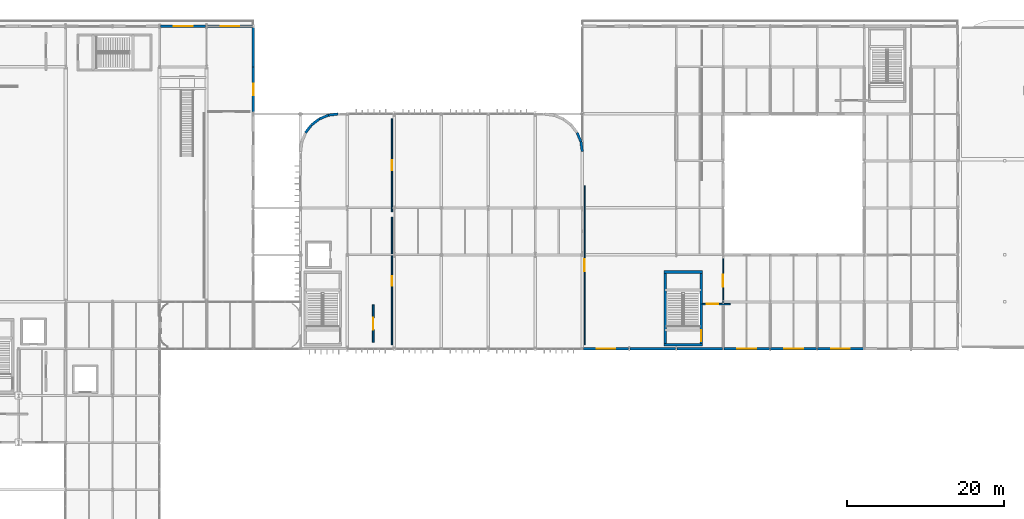
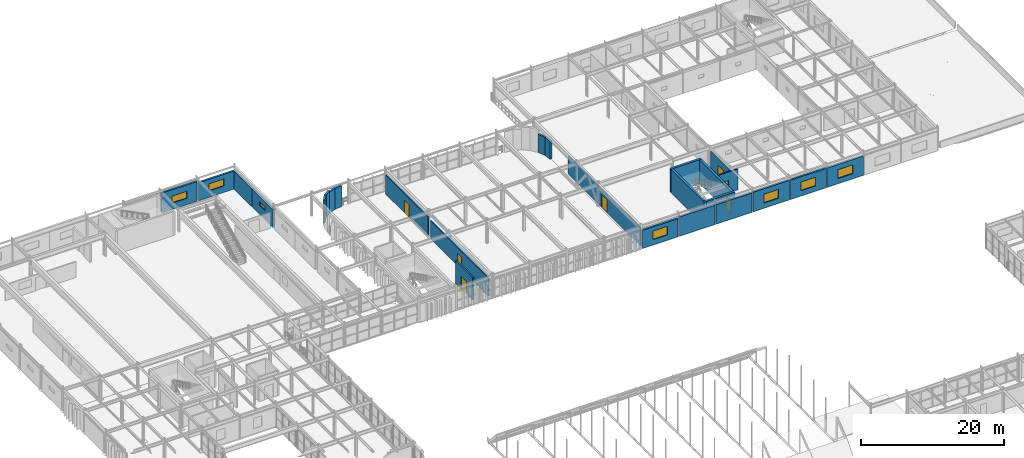
# One storey, part 91 of 116: 26 walls, 7 doors, 7 windows, 14 openings.
"""IFC4 building model written with IfcOpenShell, lengths in metres."""

from ifc_helpers import new_model, si_unit, direction, frame, frame_2d, origin, place, context, subcontext, project, spatial, rectangle, extrude, material, layer, layer_set, type_object, element, fill, save


model = new_model("IFC4")

# Units and contexts
model_context = context("Model", 3, precision=1e-05, world=origin(), true_north=direction((0.0, 1.0)))
body_context = subcontext(model_context, "Body", "Model", "MODEL_VIEW")
ifc_project = project(units=[si_unit("LENGTHUNIT", "METRE"), si_unit("AREAUNIT", "SQUARE_METRE"), si_unit("VOLUMEUNIT", "CUBIC_METRE"), si_unit("PLANEANGLEUNIT", "RADIAN"), si_unit("MASSUNIT", "GRAM", prefix="KILO")], contexts=[model_context])

# Site, building, storey
site_placement = place(None, origin())
site = spatial("IfcSite", under=ifc_project, at=site_placement, CompositionType="ELEMENT")
building_placement = place(site_placement, origin())
building = spatial("IfcBuilding", under=site, at=building_placement, Name="Varnakota Square Police Headquarters", CompositionType="ELEMENT")
storey_placement = place(building_placement, frame((0.0, 0.0, 9.300048828125)))
storey = spatial("IfcBuildingStorey", under=building, at=storey_placement, Name="L02", CompositionType="ELEMENT", Elevation=9.300048828125)

# Wall
ifc_material_1 = material(Name="Concrete M50", Category="concrete")
ifc_layer_1 = layer(ifc_material_1, 0.35009765625, Name="Concrete M50")
ifc_layer_set_1 = layer_set([ifc_layer_1], Name="Concrete M50")
wall_type_1 = type_object("IfcWallType", Name="WL-CORE-350", PredefinedType="SHEAR", material=ifc_layer_set_1)
wall_1_placement = place(storey_placement, frame((106.425048828125, 69.5, 0.0), z_axis=(0.0, 0.0, 1.0), x_axis=(1.0, 0.0, 0.0)))
element("IfcWall", 1, at=wall_1_placement, inside=storey, type_object=wall_type_1, Name="Core C9 shear wall L02 S", PredefinedType="SHEAR", context=body_context, shape_type="SweptSolid", body=[
    extrude(rectangle(XDim=4.949951171875, YDim=0.35009765625, at=frame_2d((2.47509765625, 0.0))), origin(), (0.0, 0.0, 1.0), 4.06005859375),
])

# Wall, opening, door
wall_2_placement = place(storey_placement, frame((111.199951171875, 69.324951171875, 0.0), z_axis=(0.0, 0.0, 1.0), x_axis=(0.0, 1.0, 0.0)))
wall_2 = element("IfcWall", 2, at=wall_2_placement, inside=storey, type_object=wall_type_1, Name="Core C9 shear wall L02 E", PredefinedType="SHEAR", context=body_context, shape_type="SweptSolid", body=[
    extrude(rectangle(XDim=9.650146484375, YDim=0.35009765625, at=frame_2d((4.8251953125, 0.0))), origin(), (0.0, 0.0, 1.0), 4.06005859375),
])
opening_1_placement = place(wall_2_placement, frame((0.655029296875, 0.0, 0.0)))
opening_1 = element("IfcOpeningElement", 3, at=opening_1_placement, cuts=wall_2, Name="Opening SD125", PredefinedType="OPENING", context=body_context, shape_type="SweptSolid", body=[
    extrude(rectangle(XDim=1.39990234375, YDim=2.199951171875, at=frame_2d((0.699951171875, 1.10009765625))), frame((0.0, 0.18505859375, 0.0), z_axis=(0.0, -1.0, 0.0), x_axis=(1.0, 0.0, 0.0)), (0.0, 0.0, 1.0), 0.3701171875),
])
ifc_material_2 = material(Name="Powder-Coated Galvanised Steel", Category="steel")
door_type_1 = type_object("IfcDoorType", Name="DR-ST-140", OperationType="NOTDEFINED", PredefinedType="DOOR", material=ifc_material_2)
door_1_placement = place(opening_1_placement, origin())
door_1 = element("IfcDoor", 4, at=door_1_placement, inside=storey, type_object=door_type_1, Name="Protected stair door SD125", OperationType="DOUBLE_DOOR_SINGLE_SWING", OverallHeight=2.199951171875, OverallWidth=1.39990234375, PredefinedType="DOOR", context=body_context, shape_type="SweptSolid", body=[
    extrude(rectangle(XDim=1.39990234375, YDim=2.199951171875, at=frame_2d((0.699951171875, 1.10009765625))), frame((0.0, 0.02490234375, 0.0), z_axis=(0.0, -1.0, 0.0), x_axis=(1.0, 0.0, 0.0)), (0.0, 0.0, 1.0), 0.050048828125),
])
fill(opening_1, door_1)

# Walls
wall_3_placement = place(storey_placement, frame((111.375, 78.800048828125, 0.0), z_axis=(0.0, 0.0, 1.0), x_axis=(-1.0, 0.0, 0.0)))
element("IfcWall", 5, at=wall_3_placement, inside=storey, type_object=wall_type_1, Name="Core C9 shear wall L02 N", PredefinedType="SHEAR", context=body_context, shape_type="SweptSolid", body=[
    extrude(rectangle(XDim=4.949951171875, YDim=0.35009765625, at=frame_2d((2.47509765625, 0.0))), origin(), (0.0, 0.0, 1.0), 4.06005859375),
])
wall_4_placement = place(storey_placement, frame((106.60009765625, 78.97509765625, 0.0), z_axis=(0.0, 0.0, 1.0), x_axis=(0.0, -1.0, 0.0)))
element("IfcWall", 6, at=wall_4_placement, inside=storey, type_object=wall_type_1, Name="Core C9 shear wall L02 W", PredefinedType="SHEAR", context=body_context, shape_type="SweptSolid", body=[
    extrude(rectangle(XDim=9.650146484375, YDim=0.35009765625, at=frame_2d((4.8251953125, 0.0))), origin(), (0.0, 0.0, 1.0), 4.06005859375),
])

# Wall, opening, window
ifc_material_3 = material(Name="Precast concrete M40", Category="concrete")
ifc_layer_2 = layer(ifc_material_3, 0.300048828125, Name="Precast concrete M40")
ifc_layer_set_2 = layer_set([ifc_layer_2], Name="Precast concrete M40")
wall_type_2 = type_object("IfcWallType", Name="WL-EXT-300", PredefinedType="SOLIDWALL", material=ifc_layer_set_2)
wall_5_placement = place(storey_placement, frame((42.12890625, 110.199951171875, 0.0), z_axis=(0.0, 0.0, 1.0), x_axis=(1.0, 0.0, 0.0)))
wall_5 = element("IfcWall", 7, at=wall_5_placement, inside=storey, type_object=wall_type_2, Name="Exterior wall EW-L02-0613", PredefinedType="SOLIDWALL", context=body_context, shape_type="SweptSolid", body=[
    extrude(rectangle(XDim=5.76220703125, YDim=0.300048828125, at=frame_2d((2.881103515625, 0.0))), origin(), (0.0, 0.0, 1.0), 3.389892578125),
])
opening_2_placement = place(wall_5_placement, frame((1.680908203125, 0.0, 1.10009765625)))
opening_2 = element("IfcOpeningElement", 8, at=opening_2_placement, cuts=wall_5, Name="Opening W06", PredefinedType="OPENING", context=body_context, shape_type="SweptSolid", body=[
    extrude(rectangle(XDim=2.39990234375, YDim=1.199951171875, at=frame_2d((1.199951171875, 0.60009765625))), frame((0.0, 0.159912109375, 0.0), z_axis=(0.0, -1.0, 0.0), x_axis=(1.0, 0.0, 0.0)), (0.0, 0.0, 1.0), 0.320068359375),
])
ifc_material_4 = material(Name="Thermally Broken Aluminium Double-Glazed Window", Category="aluminium")
window_type_1 = type_object("IfcWindowType", Name="WIN-06", PartitioningType="SINGLE_PANEL", PredefinedType="WINDOW", material=ifc_material_4)
window_1_placement = place(opening_2_placement, origin())
window_1 = element("IfcWindow", 9, at=window_1_placement, inside=storey, type_object=window_type_1, Name="Window WN-L02-0138", OverallHeight=1.199951171875, OverallWidth=2.39990234375, PartitioningType="SINGLE_PANEL", PredefinedType="WINDOW", context=body_context, shape_type="SweptSolid", body=[
    extrude(rectangle(XDim=2.39990234375, YDim=1.199951171875, at=frame_2d((1.199951171875, 0.60009765625))), frame((0.0, 0.030029296875, 0.0), z_axis=(0.0, -1.0, 0.0), x_axis=(1.0, 0.0, 0.0)), (0.0, 0.0, 1.0), 0.06005859375),
])
fill(opening_2, window_1)

wall_6_placement = place(storey_placement, frame((48.10888671875, 110.199951171875, 0.0), z_axis=(0.0, 0.0, 1.0), x_axis=(1.0, 0.0, 0.0)))
wall_6 = element("IfcWall", 10, at=wall_6_placement, inside=storey, type_object=wall_type_2, Name="Exterior wall EW-L02-0614", PredefinedType="SOLIDWALL", context=body_context, shape_type="SweptSolid", body=[
    extrude(rectangle(XDim=5.787109375, YDim=0.300048828125, at=frame_2d((2.8935546875, 0.0))), origin(), (0.0, 0.0, 1.0), 3.08984375),
])
opening_3_placement = place(wall_6_placement, frame((1.693603515625, 0.0, 1.10009765625)))
opening_3 = element("IfcOpeningElement", 11, at=opening_3_placement, cuts=wall_6, Name="Opening W06", PredefinedType="OPENING", context=body_context, shape_type="SweptSolid", body=[
    extrude(rectangle(XDim=2.39990234375, YDim=1.199951171875, at=frame_2d((1.199951171875, 0.60009765625))), frame((0.0, 0.159912109375, 0.0), z_axis=(0.0, -1.0, 0.0), x_axis=(1.0, 0.0, 0.0)), (0.0, 0.0, 1.0), 0.320068359375),
])
window_2_placement = place(opening_3_placement, origin())
window_2 = element("IfcWindow", 12, at=window_2_placement, inside=storey, type_object=window_type_1, Name="Window WN-L02-0139", OverallHeight=1.199951171875, OverallWidth=2.39990234375, PartitioningType="SINGLE_PANEL", PredefinedType="WINDOW", context=body_context, shape_type="SweptSolid", body=[
    extrude(rectangle(XDim=2.39990234375, YDim=1.199951171875, at=frame_2d((1.199951171875, 0.60009765625))), frame((0.0, 0.030029296875, 0.0), z_axis=(0.0, -1.0, 0.0), x_axis=(1.0, 0.0, 0.0)), (0.0, 0.0, 1.0), 0.06005859375),
])
fill(opening_3, window_2)

wall_7_placement = place(storey_placement, frame((96.154052734375, 69.0, 0.0), z_axis=(0.0, 0.0, 1.0), x_axis=(1.0, 0.0, 0.0)))
wall_7 = element("IfcWall", 13, at=wall_7_placement, inside=storey, type_object=wall_type_2, Name="Exterior wall EW-L02-0733", PredefinedType="SOLIDWALL", context=body_context, shape_type="SweptSolid", body=[
    extrude(rectangle(XDim=5.766845703125, YDim=0.300048828125, at=frame_2d((2.88330078125, 0.0))), origin(), (0.0, 0.0, 1.0), 3.08984375),
])
opening_4_placement = place(wall_7_placement, frame((1.68359375, 0.0, 0.89990234375)))
opening_4 = element("IfcOpeningElement", 14, at=opening_4_placement, cuts=wall_7, Name="Opening W02", PredefinedType="OPENING", context=body_context, shape_type="SweptSolid", body=[
    extrude(rectangle(XDim=2.39990234375, YDim=1.5, at=frame_2d((1.199951171875, 0.75))), frame((0.0, 0.159912109375, 0.0), z_axis=(0.0, -1.0, 0.0), x_axis=(1.0, 0.0, 0.0)), (0.0, 0.0, 1.0), 0.320068359375),
])
window_type_2 = type_object("IfcWindowType", Name="WIN-02", PartitioningType="SINGLE_PANEL", PredefinedType="WINDOW", material=ifc_material_4)
window_3_placement = place(opening_4_placement, origin())
window_3 = element("IfcWindow", 15, at=window_3_placement, inside=storey, type_object=window_type_2, Name="Window WN-L02-0235", OverallHeight=1.5, OverallWidth=2.39990234375, PartitioningType="SINGLE_PANEL", PredefinedType="WINDOW", context=body_context, shape_type="SweptSolid", body=[
    extrude(rectangle(XDim=2.39990234375, YDim=1.5, at=frame_2d((1.199951171875, 0.75))), frame((0.0, 0.030029296875, 0.0), z_axis=(0.0, -1.0, 0.0), x_axis=(1.0, 0.0, 0.0)), (0.0, 0.0, 1.0), 0.06005859375),
])
fill(opening_4, window_3)

# Walls
for number, where, z_axis, x_axis, name in (
    (16, (102.0791015625, 69.0, 0.0), (0.0, 0.0, 1.0), (1.0, 0.0, 0.0), "Exterior wall EW-L02-0734"),
    (17, (108.073974609375, 69.0, 0.0), (0.0, 0.0, 1.0), (1.0, 0.0, 0.0), "Exterior wall EW-L02-0735"),
):
    element("IfcWall", number, at=place(storey_placement, frame(where, z_axis=z_axis, x_axis=x_axis)), inside=storey, type_object=wall_type_2, Name=name, PredefinedType="SOLIDWALL", context=body_context, shape_type="SweptSolid", body=[
        extrude(rectangle(XDim=5.846923828125, YDim=0.300048828125, at=frame_2d((2.92333984375, 0.0))), origin(), (0.0, 0.0, 1.0), 3.2900390625),
    ])

# Wall, opening, window
wall_8_placement = place(storey_placement, frame((114.0791015625, 69.0, 0.0), z_axis=(0.0, 0.0, 1.0), x_axis=(1.0, 0.0, 0.0)))
wall_8 = element("IfcWall", 18, at=wall_8_placement, inside=storey, type_object=wall_type_2, Name="Exterior wall EW-L02-0736", PredefinedType="SOLIDWALL", context=body_context, shape_type="SweptSolid", body=[
    extrude(rectangle(XDim=5.841796875, YDim=0.300048828125, at=frame_2d((2.9208984375, 0.0))), origin(), (0.0, 0.0, 1.0), 3.33984375),
])
opening_5_placement = place(wall_8_placement, frame((1.720947265625, 0.0, 0.89990234375)))
opening_5 = element("IfcOpeningElement", 19, at=opening_5_placement, cuts=wall_8, Name="Opening W02", PredefinedType="OPENING", context=body_context, shape_type="SweptSolid", body=[
    extrude(rectangle(XDim=2.39990234375, YDim=1.5, at=frame_2d((1.199951171875, 0.75))), frame((0.0, 0.159912109375, 0.0), z_axis=(0.0, -1.0, 0.0), x_axis=(1.0, 0.0, 0.0)), (0.0, 0.0, 1.0), 0.320068359375),
])
window_4_placement = place(opening_5_placement, origin())
window_4 = element("IfcWindow", 20, at=window_4_placement, inside=storey, type_object=window_type_2, Name="Window WN-L02-0236", OverallHeight=1.5, OverallWidth=2.39990234375, PartitioningType="SINGLE_PANEL", PredefinedType="WINDOW", context=body_context, shape_type="SweptSolid", body=[
    extrude(rectangle(XDim=2.39990234375, YDim=1.5, at=frame_2d((1.199951171875, 0.75))), frame((0.0, 0.030029296875, 0.0), z_axis=(0.0, -1.0, 0.0), x_axis=(1.0, 0.0, 0.0)), (0.0, 0.0, 1.0), 0.06005859375),
])
fill(opening_5, window_4)

wall_9_placement = place(storey_placement, frame((120.0791015625, 69.0, 0.0), z_axis=(0.0, 0.0, 1.0), x_axis=(1.0, 0.0, 0.0)))
wall_9 = element("IfcWall", 21, at=wall_9_placement, inside=storey, type_object=wall_type_2, Name="Exterior wall EW-L02-0737", PredefinedType="SOLIDWALL", context=body_context, shape_type="SweptSolid", body=[
    extrude(rectangle(XDim=5.846923828125, YDim=0.300048828125, at=frame_2d((2.92333984375, 0.0))), origin(), (0.0, 0.0, 1.0), 3.2900390625),
])
opening_6_placement = place(wall_9_placement, frame((1.723388671875, 0.0, 0.89990234375)))
opening_6 = element("IfcOpeningElement", 22, at=opening_6_placement, cuts=wall_9, Name="Opening W02", PredefinedType="OPENING", context=body_context, shape_type="SweptSolid", body=[
    extrude(rectangle(XDim=2.39990234375, YDim=1.5, at=frame_2d((1.199951171875, 0.75))), frame((0.0, 0.159912109375, 0.0), z_axis=(0.0, -1.0, 0.0), x_axis=(1.0, 0.0, 0.0)), (0.0, 0.0, 1.0), 0.320068359375),
])
window_5_placement = place(opening_6_placement, origin())
window_5 = element("IfcWindow", 23, at=window_5_placement, inside=storey, type_object=window_type_2, Name="Window WN-L02-0237", OverallHeight=1.5, OverallWidth=2.39990234375, PartitioningType="SINGLE_PANEL", PredefinedType="WINDOW", context=body_context, shape_type="SweptSolid", body=[
    extrude(rectangle(XDim=2.39990234375, YDim=1.5, at=frame_2d((1.199951171875, 0.75))), frame((0.0, 0.030029296875, 0.0), z_axis=(0.0, -1.0, 0.0), x_axis=(1.0, 0.0, 0.0)), (0.0, 0.0, 1.0), 0.06005859375),
])
fill(opening_6, window_5)

wall_10_placement = place(storey_placement, frame((126.073974609375, 69.0, 0.0), z_axis=(0.0, 0.0, 1.0), x_axis=(1.0, 0.0, 0.0)))
wall_10 = element("IfcWall", 24, at=wall_10_placement, inside=storey, type_object=wall_type_2, Name="Exterior wall EW-L02-0738", PredefinedType="SOLIDWALL", context=body_context, shape_type="SweptSolid", body=[
    extrude(rectangle(XDim=5.846923828125, YDim=0.300048828125, at=frame_2d((2.92333984375, 0.0))), origin(), (0.0, 0.0, 1.0), 3.2900390625),
])
opening_7_placement = place(wall_10_placement, frame((1.723388671875, 0.0, 0.89990234375)))
opening_7 = element("IfcOpeningElement", 25, at=opening_7_placement, cuts=wall_10, Name="Opening W02", PredefinedType="OPENING", context=body_context, shape_type="SweptSolid", body=[
    extrude(rectangle(XDim=2.39990234375, YDim=1.5, at=frame_2d((1.199951171875, 0.75))), frame((0.0, 0.159912109375, 0.0), z_axis=(0.0, -1.0, 0.0), x_axis=(1.0, 0.0, 0.0)), (0.0, 0.0, 1.0), 0.320068359375),
])
window_6_placement = place(opening_7_placement, origin())
window_6 = element("IfcWindow", 26, at=window_6_placement, inside=storey, type_object=window_type_2, Name="Window WN-L02-0238", OverallHeight=1.5, OverallWidth=2.39990234375, PartitioningType="SINGLE_PANEL", PredefinedType="WINDOW", context=body_context, shape_type="SweptSolid", body=[
    extrude(rectangle(XDim=2.39990234375, YDim=1.5, at=frame_2d((1.199951171875, 0.75))), frame((0.0, 0.030029296875, 0.0), z_axis=(0.0, -1.0, 0.0), x_axis=(1.0, 0.0, 0.0)), (0.0, 0.0, 1.0), 0.06005859375),
])
fill(opening_7, window_6)

# Walls
ifc_layer_3 = layer(ifc_material_3, 0.320068359375, Name="Precast concrete M40")
ifc_layer_set_3 = layer_set([ifc_layer_3], Name="Precast concrete M40")
wall_type_3 = type_object("IfcWallType", Name="WL-EXT-320", PredefinedType="SOLIDWALL", material=ifc_layer_set_3)
for number, where, z_axis, x_axis, name in (
    (27, (64.800048828125, 99.0, 0.0), (0.0, 0.0, 1.0), (-0.991444346045, -0.130530106475, 0.0), "Exterior wall EW-L02-0508"),
    (28, (63.5576171875, 98.83642578125, 0.0), (0.0, 0.0, 1.0), (-0.92389335771, -0.382650053678, 0.0), "Exterior wall EW-L02-0509"),
):
    element("IfcWall", number, at=place(storey_placement, frame(where, z_axis=z_axis, x_axis=x_axis)), inside=storey, type_object=wall_type_3, Name=name, PredefinedType="SOLIDWALL", context=body_context, shape_type="SweptSolid", body=[
        extrude(rectangle(XDim=1.253173828125, YDim=0.320068359375, at=frame_2d((0.62646484375, 0.0))), origin(), (0.0, 0.0, 1.0), 3.58984375),
    ])
for number, where, z_axis, x_axis, name in (
    (29, (62.39990234375, 98.35693359375, 0.0), (0.0, 0.0, 1.0), (-0.793239285824, -0.60891003886, 0.0), "Exterior wall EW-L02-0510"),
    (30, (61.406005859375, 97.593994140625, 0.0), (0.0, 0.0, 1.0), (-0.60891003886, -0.793239285824, 0.0), "Exterior wall EW-L02-0511"),
):
    element("IfcWall", number, at=place(storey_placement, frame(where, z_axis=z_axis, x_axis=x_axis)), inside=storey, type_object=wall_type_3, Name=name, PredefinedType="SOLIDWALL", context=body_context, shape_type="SweptSolid", body=[
        extrude(rectangle(XDim=1.2529296875, YDim=0.320068359375, at=frame_2d((0.62646484375, 0.0))), origin(), (0.0, 0.0, 1.0), 3.89501953125),
    ])
for number, where, z_axis, x_axis, name in (
    (31, (96.0, 94.199951171875, 0.0), (0.0, 0.0, 1.0), (-0.130530106475, 0.991444346045, 0.0), "Exterior wall EW-L02-0514"),
    (32, (95.83642578125, 95.4423828125, 0.0), (0.0, 0.0, 1.0), (-0.382650053678, 0.92389335771, 0.0), "Exterior wall EW-L02-0515"),
):
    element("IfcWall", number, at=place(storey_placement, frame(where, z_axis=z_axis, x_axis=x_axis)), inside=storey, type_object=wall_type_3, Name=name, PredefinedType="SOLIDWALL", context=body_context, shape_type="SweptSolid", body=[
        extrude(rectangle(XDim=1.253173828125, YDim=0.320068359375, at=frame_2d((0.62646484375, 0.0))), origin(), (0.0, 0.0, 1.0), 3.08984375),
    ])

# Wall, opening, window
wall_11_placement = place(storey_placement, frame((54.0, 99.25390625, 0.0), z_axis=(0.0, 0.0, 1.0), x_axis=(0.0, 1.0, 0.0)))
wall_11 = element("IfcWall", 33, at=wall_11_placement, inside=storey, type_object=wall_type_3, Name="Exterior wall EW-L02-0619", PredefinedType="SOLIDWALL", context=body_context, shape_type="SweptSolid", body=[
    extrude(rectangle(XDim=5.74609375, YDim=0.320068359375, at=frame_2d((2.873046875, 0.0))), origin(), (0.0, 0.0, 1.0), 3.08984375),
])
opening_8_placement = place(wall_11_placement, frame((2.123046875, 0.0, 1.60009765625)))
opening_8 = element("IfcOpeningElement", 34, at=opening_8_placement, cuts=wall_11, Name="Opening W14", PredefinedType="OPENING", context=body_context, shape_type="SweptSolid", body=[
    extrude(rectangle(XDim=1.5, YDim=0.60009765625, at=frame_2d((0.75, 0.300048828125))), frame((0.0, 0.169921875, 0.0), z_axis=(0.0, -1.0, 0.0), x_axis=(1.0, 0.0, 0.0)), (0.0, 0.0, 1.0), 0.340087890625),
])
window_type_3 = type_object("IfcWindowType", Name="WIN-14", PartitioningType="SINGLE_PANEL", PredefinedType="WINDOW", material=ifc_material_4)
window_7_placement = place(opening_8_placement, origin())
window_7 = element("IfcWindow", 35, at=window_7_placement, inside=storey, type_object=window_type_3, Name="Window WN-L02-0144", OverallHeight=0.60009765625, OverallWidth=1.5, PartitioningType="SINGLE_PANEL", PredefinedType="WINDOW", context=body_context, shape_type="SweptSolid", body=[
    extrude(rectangle(XDim=1.5, YDim=0.60009765625, at=frame_2d((0.75, 0.300048828125))), frame((0.0, 0.030029296875, 0.0), z_axis=(0.0, -1.0, 0.0), x_axis=(1.0, 0.0, 0.0)), (0.0, 0.0, 1.0), 0.06005859375),
])
fill(opening_8, window_7)

# Wall
wall_12_placement = place(storey_placement, frame((54.0, 105.0, 0.0), z_axis=(0.0, 0.0, 1.0), x_axis=(0.0, 1.0, 0.0)))
element("IfcWall", 36, at=wall_12_placement, inside=storey, type_object=wall_type_3, Name="Exterior wall EW-L02-0620", PredefinedType="SOLIDWALL", context=body_context, shape_type="SweptSolid", body=[
    extrude(rectangle(XDim=5.02099609375, YDim=0.320068359375, at=frame_2d((2.510498046875, 0.0))), origin(), (0.0, 0.0, 1.0), 3.08984375),
])

# Wall, opening, door
ifc_material_5 = material(Name="Acoustic Insulated Metal-Stud Partition", Category="gypsum")
ifc_layer_4 = layer(ifc_material_5, 0.125, Name="Acoustic Insulated Metal-Stud Partition")
ifc_layer_set_4 = layer_set([ifc_layer_4], Name="Acoustic Insulated Metal-Stud Partition")
wall_type_4 = type_object("IfcWallType", Name="WL-PRT-125", PredefinedType="PARTITIONING", material=ifc_layer_set_4)
wall_13_placement = place(storey_placement, frame((96.300048828125, 69.5, 0.0), z_axis=(0.0, 0.0, 1.0), x_axis=(0.0, 1.0, 0.0)))
wall_13 = element("IfcWall", 37, at=wall_13_placement, inside=storey, type_object=wall_type_4, Name="Interior partition PW-L02-0149 (Police Training Classroom A)", PredefinedType="PARTITIONING", context=body_context, shape_type="SweptSolid", body=[
    extrude(rectangle(XDim=20.300048828125, YDim=0.125, at=frame_2d((10.14990234375, 0.0))), origin(), (0.0, 0.0, 1.0), 3.08984375),
])
opening_9_placement = place(wall_13_placement, frame((9.375, 0.0, 0.0)))
opening_9 = element("IfcOpeningElement", 38, at=opening_9_placement, cuts=wall_13, Name="Opening D236", PredefinedType="OPENING", context=body_context, shape_type="SweptSolid", body=[
    extrude(rectangle(XDim=1.550048828125, YDim=2.199951171875, at=frame_2d((0.77490234375, 1.10009765625))), frame((0.0, 0.072509765625, 0.0), z_axis=(0.0, -1.0, 0.0), x_axis=(1.0, 0.0, 0.0)), (0.0, 0.0, 1.0), 0.14501953125),
])
ifc_material_6 = material(Name="Solid-Core Acoustic Oak Veneer Timber", Category="wood")
door_type_2 = type_object("IfcDoorType", Name="DR-BRF-155", OperationType="NOTDEFINED", PredefinedType="DOOR", material=ifc_material_6)
door_2_placement = place(opening_9_placement, origin())
door_2 = element("IfcDoor", 39, at=door_2_placement, inside=storey, type_object=door_type_2, Name="Room door D236 (Police Training Classroom A)", OperationType="DOUBLE_DOOR_SINGLE_SWING", OverallHeight=2.199951171875, OverallWidth=1.550048828125, PredefinedType="DOOR", context=body_context, shape_type="SweptSolid", body=[
    extrude(rectangle(XDim=1.550048828125, YDim=2.199951171875, at=frame_2d((0.77490234375, 1.10009765625))), frame((0.0, 0.02490234375, 0.0), z_axis=(0.0, -1.0, 0.0), x_axis=(1.0, 0.0, 0.0)), (0.0, 0.0, 1.0), 0.050048828125),
])
fill(opening_9, door_2)

ifc_layer_5 = layer(ifc_material_5, 0.139892578125, Name="Acoustic Insulated Metal-Stud Partition")
ifc_layer_set_5 = layer_set([ifc_layer_5], Name="Acoustic Insulated Metal-Stud Partition")
wall_type_5 = type_object("IfcWallType", Name="WL-PRT-140", PredefinedType="PARTITIONING", material=ifc_layer_set_5)
wall_14_placement = place(storey_placement, frame((114.0, 74.89990234375, 0.0), z_axis=(0.0, 0.0, 1.0), x_axis=(0.0, 1.0, 0.0)))
wall_14 = element("IfcWall", 40, at=wall_14_placement, inside=storey, type_object=wall_type_5, Name="Interior partition PW-L02-0151 (Tactical Seminar Room)", PredefinedType="PARTITIONING", context=body_context, shape_type="SweptSolid", body=[
    extrude(rectangle(XDim=5.60009765625, YDim=0.139892578125, at=frame_2d((2.800048828125, 0.0))), origin(), (0.0, 0.0, 1.0), 3.389892578125),
])
opening_10_placement = place(wall_14_placement, frame((2.02490234375, 0.0, 0.0)))
opening_10 = element("IfcOpeningElement", 41, at=opening_10_placement, cuts=wall_14, Name="Opening D238", PredefinedType="OPENING", context=body_context, shape_type="SweptSolid", body=[
    extrude(rectangle(XDim=1.550048828125, YDim=2.199951171875, at=frame_2d((0.77490234375, 1.10009765625))), frame((0.0, 0.079833984375, 0.0), z_axis=(0.0, -1.0, 0.0), x_axis=(1.0, 0.0, 0.0)), (0.0, 0.0, 1.0), 0.159912109375),
])
door_3_placement = place(opening_10_placement, origin())
door_3 = element("IfcDoor", 42, at=door_3_placement, inside=storey, type_object=door_type_2, Name="Room door D238 (Tactical Seminar Room)", OperationType="DOUBLE_DOOR_SINGLE_SWING", OverallHeight=2.199951171875, OverallWidth=1.550048828125, PredefinedType="DOOR", context=body_context, shape_type="SweptSolid", body=[
    extrude(rectangle(XDim=1.550048828125, YDim=2.199951171875, at=frame_2d((0.77490234375, 1.10009765625))), frame((0.0, 0.02490234375, 0.0), z_axis=(0.0, -1.0, 0.0), x_axis=(1.0, 0.0, 0.0)), (0.0, 0.0, 1.0), 0.050048828125),
])
fill(opening_10, door_3)

ifc_material_7 = material(Name="Fire-Rated Double Gypsum Stud Partition", Category="gypsum")
ifc_layer_6 = layer(ifc_material_7, 0.14990234375, Name="Fire-Rated Double Gypsum Stud Partition")
ifc_layer_set_6 = layer_set([ifc_layer_6], Name="Fire-Rated Double Gypsum Stud Partition")
wall_type_6 = type_object("IfcWallType", Name="WL-PRT-150F", PredefinedType="PARTITIONING", material=ifc_layer_set_6)
wall_15_placement = place(storey_placement, frame((71.699951171875, 86.5, 0.0), z_axis=(0.0, 0.0, 1.0), x_axis=(0.0, 1.0, 0.0)))
wall_15 = element("IfcWall", 43, at=wall_15_placement, inside=storey, type_object=wall_type_6, Name="Interior partition PW-L02-0137 (Network Telemetry and UPS Equipment Room)", PredefinedType="PARTITIONING", context=body_context, shape_type="SweptSolid", body=[
    extrude(rectangle(XDim=11.89990234375, YDim=0.14990234375, at=frame_2d((5.949951171875, 0.0))), origin(), (0.0, 0.0, 1.0), 3.2900390625),
])
opening_11_placement = place(wall_15_placement, frame((5.300048828125, 0.0, 0.0)))
opening_11 = element("IfcOpeningElement", 44, at=opening_11_placement, cuts=wall_15, Name="Opening D224", PredefinedType="OPENING", context=body_context, shape_type="SweptSolid", body=[
    extrude(rectangle(XDim=1.300048828125, YDim=2.199951171875, at=frame_2d((0.64990234375, 1.10009765625))), frame((0.0, 0.0849609375, 0.0), z_axis=(0.0, -1.0, 0.0), x_axis=(1.0, 0.0, 0.0)), (0.0, 0.0, 1.0), 0.169921875),
])
ifc_material_8 = material(Name="Epoxy-Coated Hermetic Galvanised Steel", Category="steel")
door_type_3 = type_object("IfcDoorType", Name="DR-LAB-130", OperationType="NOTDEFINED", PredefinedType="DOOR", material=ifc_material_8)
door_4_placement = place(opening_11_placement, origin())
door_4 = element("IfcDoor", 45, at=door_4_placement, inside=storey, type_object=door_type_3, Name="Room door D224 (Network Telemetry and UPS Equipment Room)", OperationType="SINGLE_SWING_LEFT", OverallHeight=2.199951171875, OverallWidth=1.300048828125, PredefinedType="DOOR", context=body_context, shape_type="SweptSolid", body=[
    extrude(rectangle(XDim=1.300048828125, YDim=2.199951171875, at=frame_2d((0.64990234375, 1.10009765625))), frame((0.0, 0.02490234375, 0.0), z_axis=(0.0, -1.0, 0.0), x_axis=(1.0, 0.0, 0.0)), (0.0, 0.0, 1.0), 0.050048828125),
])
fill(opening_11, door_4)

ifc_material_9 = material(Name="Autoclaved Aerated Concrete Blockwork", Category="masonry")
ifc_layer_7 = layer(ifc_material_9, 0.175048828125, Name="Autoclaved Aerated Concrete Blockwork")
ifc_layer_set_7 = layer_set([ifc_layer_7], Name="Autoclaved Aerated Concrete Blockwork")
wall_type_7 = type_object("IfcWallType", Name="WL-PRT-175F", PredefinedType="PARTITIONING", material=ifc_layer_set_7)
wall_16_placement = place(storey_placement, frame((71.699951171875, 69.5, 0.0), z_axis=(0.0, 0.0, 1.0), x_axis=(0.0, 1.0, 0.0)))
wall_16 = element("IfcWall", 46, at=wall_16_placement, inside=storey, type_object=wall_type_7, Name="Interior partition PW-L02-0136 (Communications Server Hall)", PredefinedType="PARTITIONING", context=body_context, shape_type="SweptSolid", body=[
    extrude(rectangle(XDim=16.300048828125, YDim=0.175048828125, at=frame_2d((8.14990234375, 0.0))), origin(), (0.0, 0.0, 1.0), 3.08984375),
])
opening_12_placement = place(wall_16_placement, frame((7.550048828125, 0.0, 0.0)))
opening_12 = element("IfcOpeningElement", 47, at=opening_12_placement, cuts=wall_16, Name="Opening D223", PredefinedType="OPENING", context=body_context, shape_type="SweptSolid", body=[
    extrude(rectangle(XDim=1.199951171875, YDim=2.14990234375, at=frame_2d((0.60009765625, 1.074951171875))), frame((0.0, 0.097412109375, 0.0), z_axis=(0.0, -1.0, 0.0), x_axis=(1.0, 0.0, 0.0)), (0.0, 0.0, 1.0), 0.195068359375),
])
ifc_material_10 = material(Name="Phenolic-Faced Fire-Rated Composite")
door_type_4 = type_object("IfcDoorType", Name="DR-LAB-120", OperationType="NOTDEFINED", PredefinedType="DOOR", material=ifc_material_10)
door_5_placement = place(opening_12_placement, origin())
door_5 = element("IfcDoor", 48, at=door_5_placement, inside=storey, type_object=door_type_4, Name="Room door D223 (Communications Server Hall)", OperationType="SINGLE_SWING_RIGHT", OverallHeight=2.14990234375, OverallWidth=1.199951171875, PredefinedType="DOOR", context=body_context, shape_type="SweptSolid", body=[
    extrude(rectangle(XDim=1.199951171875, YDim=2.14990234375, at=frame_2d((0.60009765625, 1.074951171875))), frame((0.0, 0.02490234375, 0.0), z_axis=(0.0, -1.0, 0.0), x_axis=(1.0, 0.0, 0.0)), (0.0, 0.0, 1.0), 0.050048828125),
])
fill(opening_12, door_5)

ifc_material_11 = material(Name="Concrete M40", Category="concrete")
ifc_layer_8 = layer(ifc_material_11, 0.215087890625, Name="Concrete M40")
ifc_layer_set_8 = layer_set([ifc_layer_8], Name="Concrete M40")
wall_type_8 = type_object("IfcWallType", Name="WL-PRT-215F", PredefinedType="PARTITIONING", material=ifc_layer_set_8)
wall_17_placement = place(storey_placement, frame((69.300048828125, 69.800048828125, 0.0), z_axis=(0.0, 0.0, 1.0), x_axis=(0.0, 1.0, 0.0)))
wall_17 = element("IfcWall", 49, at=wall_17_placement, inside=storey, type_object=wall_type_8, Name="Core C6 lobby fire partition L02", PredefinedType="PARTITIONING", context=body_context, shape_type="SweptSolid", body=[
    extrude(rectangle(XDim=4.800048828125, YDim=0.215087890625, at=frame_2d((2.39990234375, 0.0))), origin(), (0.0, 0.0, 1.0), 3.889892578125),
])
opening_13_placement = place(wall_17_placement, frame((1.64990234375, 0.0, 0.0)))
opening_13 = element("IfcOpeningElement", 50, at=opening_13_placement, cuts=wall_17, Name="Opening FD100", PredefinedType="OPENING", context=body_context, shape_type="SweptSolid", body=[
    extrude(rectangle(XDim=1.5, YDim=2.14990234375, at=frame_2d((0.75, 1.074951171875))), frame((0.0, 0.117431640625, 0.0), z_axis=(0.0, -1.0, 0.0), x_axis=(1.0, 0.0, 0.0)), (0.0, 0.0, 1.0), 0.235107421875),
])
ifc_material_12 = material(Name="Smoke-Sealed Galvanised Acoustic Steel", Category="steel")
door_type_5 = type_object("IfcDoorType", Name="DR-FFL-150", OperationType="NOTDEFINED", PredefinedType="DOOR", material=ifc_material_12)
door_6_placement = place(opening_13_placement, origin())
door_6 = element("IfcDoor", 51, at=door_6_placement, inside=storey, type_object=door_type_5, Name="Core lobby smoke door FD100", OperationType="DOUBLE_DOOR_SINGLE_SWING", OverallHeight=2.14990234375, OverallWidth=1.5, PredefinedType="DOOR", context=body_context, shape_type="SweptSolid", body=[
    extrude(rectangle(XDim=1.5, YDim=2.14990234375, at=frame_2d((0.75, 1.074951171875))), frame((0.0, 0.02490234375, 0.0), z_axis=(0.0, -1.0, 0.0), x_axis=(1.0, 0.0, 0.0)), (0.0, 0.0, 1.0), 0.050048828125),
])
fill(opening_13, door_6)

wall_18_placement = place(storey_placement, frame((111.300048828125, 74.699951171875, 0.0), z_axis=(0.0, 0.0, 1.0), x_axis=(1.0, 0.0, 0.0)))
wall_18 = element("IfcWall", 52, at=wall_18_placement, inside=storey, type_object=wall_type_8, Name="Core C9 lobby fire partition L02", PredefinedType="PARTITIONING", context=body_context, shape_type="SweptSolid", body=[
    extrude(rectangle(XDim=3.599853515625, YDim=0.215087890625, at=frame_2d((1.7998046875, 0.0))), origin(), (0.0, 0.0, 1.0), 3.566162109375),
])
opening_14_placement = place(wall_18_placement, frame((0.60009765625, 0.0, 0.0)))
opening_14 = element("IfcOpeningElement", 53, at=opening_14_placement, cuts=wall_18, Name="Opening FD129", PredefinedType="OPENING", context=body_context, shape_type="SweptSolid", body=[
    extrude(rectangle(XDim=1.5, YDim=2.14990234375, at=frame_2d((0.75, 1.074951171875))), frame((0.0, 0.117431640625, 0.0), z_axis=(0.0, -1.0, 0.0), x_axis=(1.0, 0.0, 0.0)), (0.0, 0.0, 1.0), 0.235107421875),
])
door_7_placement = place(opening_14_placement, origin())
door_7 = element("IfcDoor", 54, at=door_7_placement, inside=storey, type_object=door_type_5, Name="Core lobby smoke door FD129", OperationType="DOUBLE_DOOR_SINGLE_SWING", OverallHeight=2.14990234375, OverallWidth=1.5, PredefinedType="DOOR", context=body_context, shape_type="SweptSolid", body=[
    extrude(rectangle(XDim=1.5, YDim=2.14990234375, at=frame_2d((0.75, 1.074951171875))), frame((0.0, 0.02490234375, 0.0), z_axis=(0.0, -1.0, 0.0), x_axis=(1.0, 0.0, 0.0)), (0.0, 0.0, 1.0), 0.050048828125),
])
fill(opening_14, door_7)

save(model, "model.ifc")
